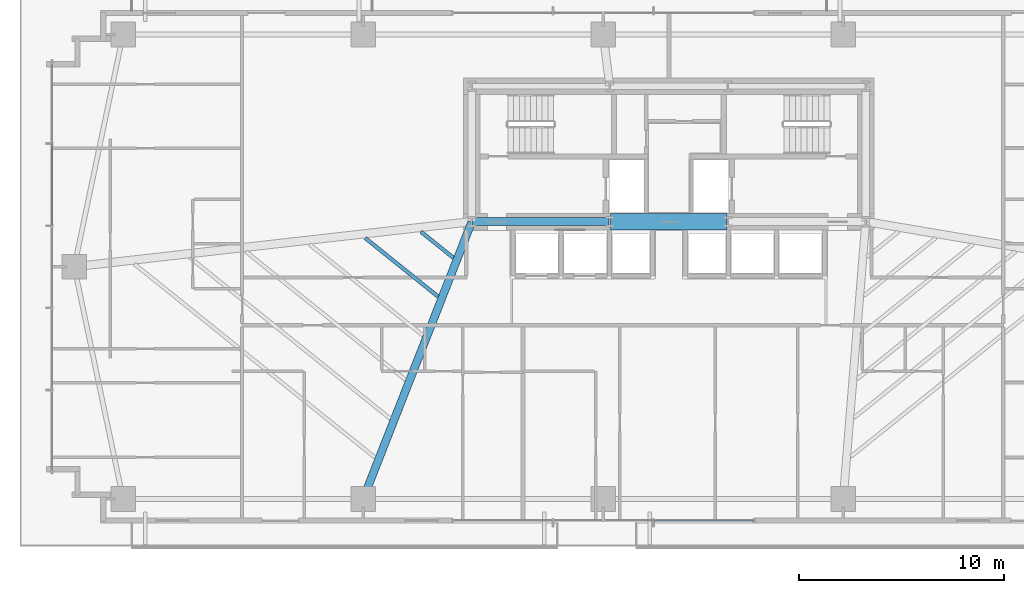
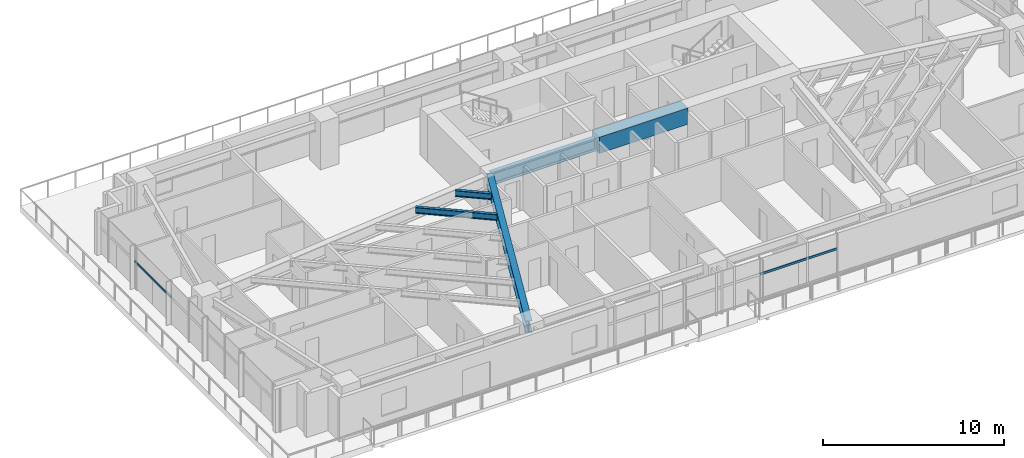
# One storey, part 7 of 26: 5 beams, 2 members, 2 elements without a shape of their own.
"""IFC4 building model written with IfcOpenShell, lengths in metres."""

from ifc_helpers import new_model, si_unit, direction, frame, origin, origin_2d, place, context, subcontext, project, spatial, rectangle, hollow_rectangle, i_section, extrude, source, transform, mapped, material, material_profile, profile_set, type_object, type_shapes, element, aggregate, save


model = new_model("IFC4")

# Units and contexts
model_context = context("Model", 3, precision=1e-05, world=origin(), true_north=direction((0.0, 1.0)))
body_context = subcontext(model_context, "Body", "Model", "MODEL_VIEW")
ifc_project = project(units=[si_unit("LENGTHUNIT", "METRE"), si_unit("AREAUNIT", "SQUARE_METRE"), si_unit("VOLUMEUNIT", "CUBIC_METRE"), si_unit("PLANEANGLEUNIT", "RADIAN"), si_unit("MASSUNIT", "GRAM", prefix="KILO")], contexts=[model_context])

# Site, building, storey
site_placement = place(None, origin())
site = spatial("IfcSite", under=ifc_project, at=site_placement, CompositionType="ELEMENT")
building_placement = place(site_placement, origin())
building = spatial("IfcBuilding", under=site, at=building_placement, Name="Astriad Promenade Condominiums", CompositionType="ELEMENT")
storey_placement = place(building_placement, frame((0.0, 0.0, 23.0)))
storey = spatial("IfcBuildingStorey", under=building, at=storey_placement, Name="L05", CompositionType="ELEMENT", Elevation=23.0)

# Beams
ifc_material_1 = material(Name="Steel ASTM A992 Grade 50", Category="steel")
ifc_material_profile_1 = material_profile(ifc_material_1, i_section(OverallWidth=0.3837890625, OverallDepth=0.785888671875, WebThickness=0.019775390625, FlangeThickness=0.033447265625, FilletRadius=0.021484375, at=origin_2d()), Name="W30X211")
ifc_profile_set_1 = profile_set([ifc_material_profile_1], Name="Steel ASTM A992 Grade 50")
beam_type_1 = type_object("IfcBeamType", Name="STEEL FLOOR GIRDER W30X211", PredefinedType="BEAM", material=ifc_profile_set_1)
shared_shape_1 = source(origin(), body_context, "Body", "SweptSolid", [
    extrude(i_section(OverallWidth=0.3837890625, OverallDepth=0.785888671875, WebThickness=0.019775390625, FlangeThickness=0.033447265625, FilletRadius=0.021484375, at=origin_2d()), origin(), (0.0, 0.0, 1.0), 6.64013671875),
])
beam_1_placement = place(storey_placement, frame((26.43994140625, 17.39990234375, 2.547119140625), z_axis=(1.0, 0.0, 0.0), x_axis=(0.0, 1.0, 0.0)))
element("IfcBeam", 1, at=beam_1_placement, inside=storey, type_object=beam_type_1, Name="Core Ring Beam CG-S1-L05", PredefinedType="BEAM", context=body_context, shape_type="MappedRepresentation", body=[
    mapped(shared_shape_1, transform((0.0, 0.0, 0.0), scale=1.0)),
])
ifc_material_2 = material(Name="Concrete C80/95", Category="concrete")
ifc_material_profile_2 = material_profile(ifc_material_2, rectangle(XDim=0.800048828125, YDim=1.10009765625, at=origin_2d()), Name="RC-BM-800X1100")
ifc_profile_set_2 = profile_set([ifc_material_profile_2], Name="Concrete C80/95")
beam_type_2 = type_object("IfcBeamType", Name="CONCRETE CORE COUPLING LINTEL 800X1100", PredefinedType="LINTEL", material=ifc_profile_set_2)
shared_shape_2 = source(origin(), body_context, "Body", "SweptSolid", [
    extrude(rectangle(XDim=0.800048828125, YDim=1.10009765625, at=origin_2d()), origin(), (0.0, 0.0, 1.0), 5.68017578125),
])
type_shapes(beam_type_2, [shared_shape_2])
beam_2_placement = place(storey_placement, frame((33.159912109375, 17.39990234375, 2.6298828125), z_axis=(1.0, 0.0, 0.0), x_axis=(0.0, 1.0, 0.0)))
element("IfcBeam", 2, at=beam_2_placement, inside=storey, type_object=beam_type_2, Name="Core Ring Beam CG-S2-L05", PredefinedType="LINTEL", context=body_context, shape_type="MappedRepresentation", body=[
    mapped(shared_shape_2, transform((0.0, 0.0, 0.0), scale=1.0)),
])
shared_shape_3 = source(origin(), body_context, "Body", "SweptSolid", [
    extrude(i_section(OverallWidth=0.3837890625, OverallDepth=0.785888671875, WebThickness=0.019775390625, FlangeThickness=0.033447265625, FilletRadius=0.021484375, at=origin_2d()), origin(), (0.0, 0.0, 1.0), 14.44189453125),
])
type_shapes(beam_type_1, [shared_shape_1, shared_shape_3])
beam_3_placement = place(storey_placement, frame((21.114501953125, 3.917236328125, 2.547119140625), z_axis=(0.364981228757, 0.931014877784, 0.0), x_axis=(-0.931014877784, 0.364981228757, 0.0)))
element("IfcBeam", 3, at=beam_3_placement, inside=storey, type_object=beam_type_1, Name="Primary Floor Girder PG-W2-L05", PredefinedType="BEAM", context=body_context, shape_type="MappedRepresentation", body=[
    mapped(shared_shape_3, transform((0.0, 0.0, 0.0), scale=1.0)),
])
ifc_material_profile_3 = material_profile(ifc_material_1, i_section(OverallWidth=0.180908203125, OverallDepth=0.417236328125, WebThickness=0.010986328125, FlangeThickness=0.018310546875, FilletRadius=0.013916015625, at=origin_2d()), Name="W16X57")
ifc_profile_set_3 = profile_set([ifc_material_profile_3], Name="Steel ASTM A992 Grade 50")
beam_type_3 = type_object("IfcBeamType", Name="STEEL FLOOR JOIST W16X57", PredefinedType="JOIST", material=ifc_profile_set_3)
shared_shape_4 = source(origin(), body_context, "Body", "SweptSolid", [
    extrude(i_section(OverallWidth=0.180908203125, OverallDepth=0.417236328125, WebThickness=0.010986328125, FlangeThickness=0.018310546875, FilletRadius=0.013916015625, at=origin_2d()), origin(), (0.0, 0.0, 1.0), 4.555419921875),
])
beam_4_placement = place(storey_placement, frame((21.201416015625, 16.600830078125, 2.7314453125), z_axis=(0.779365920634, -0.626569039894, 0.0), x_axis=(0.626569039894, 0.779365920634, 0.0)))
element("IfcBeam", 4, at=beam_4_placement, inside=storey, type_object=beam_type_3, Name="Secondary Composite Floor Joist JW1-5-L05", PredefinedType="JOIST", context=body_context, shape_type="MappedRepresentation", body=[
    mapped(shared_shape_4, transform((0.0, 0.0, 0.0), scale=1.0)),
])
shared_shape_5 = source(origin(), body_context, "Body", "SweptSolid", [
    extrude(i_section(OverallWidth=0.180908203125, OverallDepth=0.417236328125, WebThickness=0.010986328125, FlangeThickness=0.018310546875, FilletRadius=0.013916015625, at=origin_2d()), origin(), (0.0, 0.0, 1.0), 2.02587890625),
])
type_shapes(beam_type_3, [shared_shape_4, shared_shape_5])
beam_5_placement = place(storey_placement, frame((23.914794921875, 16.90869140625, 2.7314453125), z_axis=(0.779373362939, -0.626559782576, 0.0), x_axis=(0.626559782576, 0.779373362939, 0.0)))
element("IfcBeam", 5, at=beam_5_placement, inside=storey, type_object=beam_type_3, Name="Secondary Composite Floor Joist JW1-6-L05", PredefinedType="JOIST", context=body_context, shape_type="MappedRepresentation", body=[
    mapped(shared_shape_5, transform((0.0, 0.0, 0.0), scale=1.0)),
])

# Curtain wall, member
ifc_material_3 = material(Name="Anodised aluminium Black Dark Glass Unitised", Category="aluminium")
curtain_wall_type = type_object("IfcCurtainWallType", Name="CW-B1-DARK", PredefinedType="USERDEFINED", material=ifc_material_3)
curtain_wall_1_placement = place(storey_placement, origin())
curtain_wall_1 = element("IfcCurtainWall", 6, at=curtain_wall_1_placement, inside=storey, type_object=curtain_wall_type, Name="CW-L05-W", ObjectType="UNITISED_CURTAIN_WALL", PredefinedType="USERDEFINED")
ifc_material_4 = material(Name="Anodised aluminium 6063-T6 Black", Category="aluminium")
ifc_material_profile_4 = material_profile(ifc_material_4, hollow_rectangle(XDim=0.074951171875, YDim=0.14990234375, WallThickness=0.004150390625, at=origin_2d()), Name="ALU-TRN-75X150")
ifc_profile_set_4 = profile_set([ifc_material_profile_4], Name="Anodised aluminium 6063-T6 Black")
member_type = type_object("IfcMemberType", Name="TRN-ALU-TRN-75X150", PredefinedType="USERDEFINED", material=ifc_profile_set_4)
shared_shape_6 = source(origin(), body_context, "Body", "SweptSolid", [
    extrude(hollow_rectangle(XDim=0.074951171875, YDim=0.14990234375, WallThickness=0.004150390625, at=origin_2d()), origin(), (0.0, 0.0, 1.0), 4.0),
])
member_1_placement = place(storey_placement, frame((5.929931640625, 17.199951171875, 1.82275390625), z_axis=(0.0, 1.0, 0.0), x_axis=(-1.0, 0.0, 0.0)))
member_1 = element("IfcMember", 7, at=member_1_placement, type_object=member_type, Name="CW-L05-W-TRN-03-0", ObjectType="TRANSOM", PredefinedType="USERDEFINED", context=body_context, shape_type="MappedRepresentation", body=[
    mapped(shared_shape_6, transform((0.0, 0.0, 0.0), scale=1.0)),
])
aggregate(curtain_wall_1, [member_1])

curtain_wall_2_placement = place(storey_placement, origin())
curtain_wall_2 = element("IfcCurtainWall", 8, at=curtain_wall_2_placement, inside=storey, type_object=curtain_wall_type, Name="CW-L05-S", ObjectType="UNITISED_CURTAIN_WALL", PredefinedType="USERDEFINED")
shared_shape_7 = source(origin(), body_context, "Body", "SweptSolid", [
    extrude(hollow_rectangle(XDim=0.074951171875, YDim=0.14990234375, WallThickness=0.004150390625, at=origin_2d()), origin(), (0.0, 0.0, 1.0), 4.89990234375),
])
type_shapes(member_type, [shared_shape_6, shared_shape_7])
member_2_placement = place(storey_placement, frame((40.14990234375, 2.830078125, 1.82275390625), z_axis=(-1.0, 0.0, 0.0), x_axis=(0.0, -1.0, 0.0)))
member_2 = element("IfcMember", 9, at=member_2_placement, type_object=member_type, Name="CW-L05-S-TRN-00-0", ObjectType="TRANSOM", PredefinedType="USERDEFINED", context=body_context, shape_type="MappedRepresentation", body=[
    mapped(shared_shape_7, transform((0.0, 0.0, 0.0), scale=1.0)),
])
aggregate(curtain_wall_2, [member_2])

save(model, "model.ifc")
